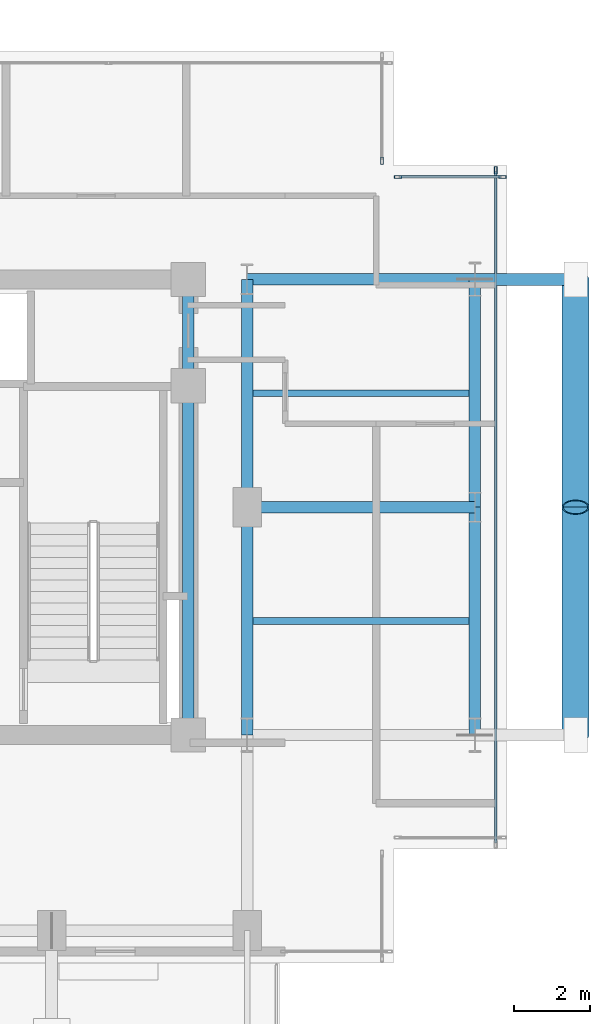
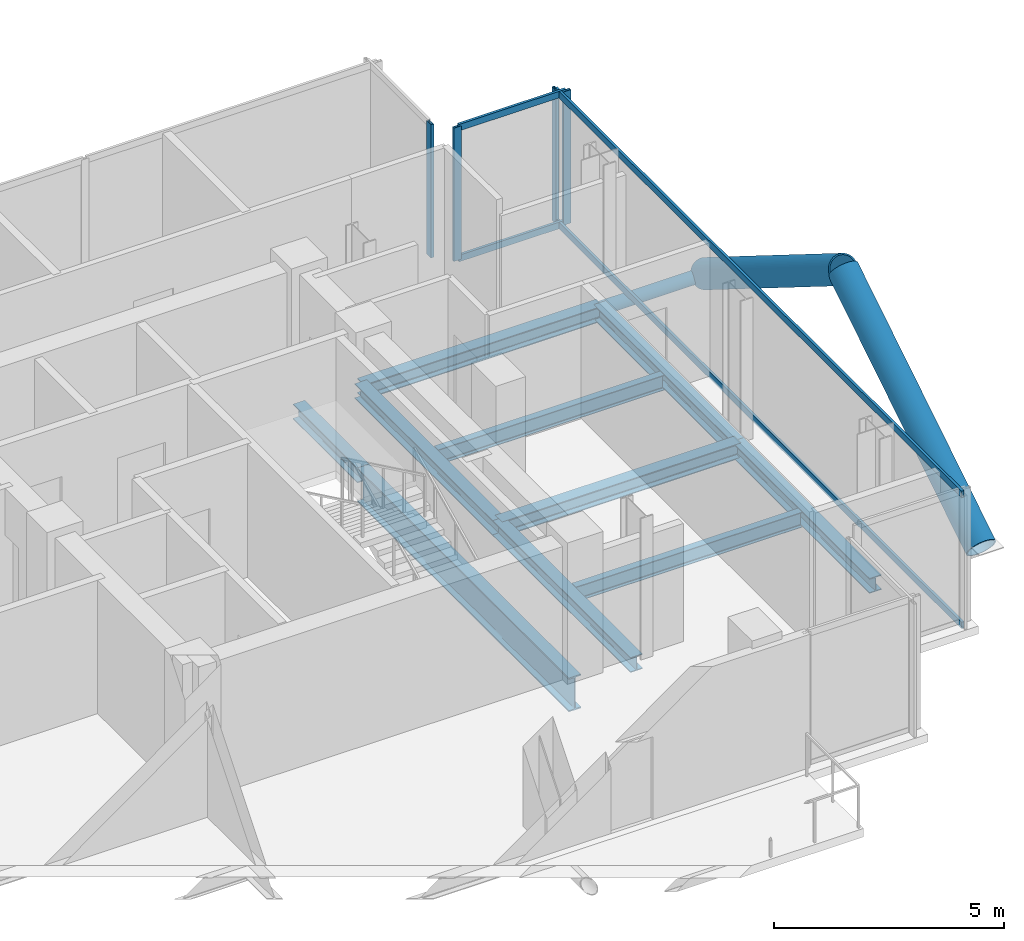
# One storey, part 12 of 25: 11 members, 10 beams, 3 elements without a shape of their own.
"""IFC4 building model written with IfcOpenShell, lengths in metres."""

from ifc_helpers import new_model, si_unit, direction, frame, origin, origin_2d, place, context, subcontext, project, spatial, hollow_rectangle, hollow_circle, i_section, extrude, material, layer, layer_set, material_profile, profile_set, type_object, element, aggregate, save


model = new_model("IFC4")

# Units and contexts
model_context = context("Model", 3, precision=1e-05, world=origin(), true_north=direction((0.0, 1.0)))
body_context = subcontext(model_context, "Body", "Model", "MODEL_VIEW")
ifc_project = project(units=[si_unit("LENGTHUNIT", "METRE"), si_unit("AREAUNIT", "SQUARE_METRE"), si_unit("VOLUMEUNIT", "CUBIC_METRE"), si_unit("PLANEANGLEUNIT", "RADIAN"), si_unit("MASSUNIT", "GRAM", prefix="KILO"), si_unit("THERMODYNAMICTEMPERATUREUNIT", "KELVIN"), si_unit("POWERUNIT", "WATT")], contexts=[model_context])

# Site, building, storey
site_placement = place(None, origin())
site = spatial("IfcSite", under=ifc_project, at=site_placement, CompositionType="ELEMENT")
building_placement = place(site_placement, origin())
building = spatial("IfcBuilding", under=site, at=building_placement, Name="Svarakhadi Broadcast Tower", CompositionType="ELEMENT")
storey_placement = place(building_placement, frame((0.0, 0.0, 227.39990234375)))
storey = spatial("IfcBuildingStorey", under=building, at=storey_placement, Name="L56", CompositionType="ELEMENT", Elevation=227.39990234375)

# Beams
ifc_material_1 = material(Name="Steel S355J2 (IS 2062 E350C)", Category="steel")
ifc_material_profile_1 = material_profile(ifc_material_1, i_section(OverallWidth=0.179931640625, OverallDepth=0.39990234375, WebThickness=0.008544921875, FlangeThickness=0.013427734375, FilletRadius=0.02099609375, at=origin_2d()), Name="NPB 400x180x66")
ifc_profile_set_1 = profile_set([ifc_material_profile_1], Name="Steel S355J2 (IS 2062 E350C)")
beam_type_1 = type_object("IfcBeamType", Name="Beam_NPB400", PredefinedType="BEAM", material=ifc_profile_set_1)
for number, where, z_axis, x_axis, name in (
    (1, (35.31005859375, 9.0, -0.409912109375), (1.0, 0.0, 0.0), (0.0, 1.0, 0.0), "L56 Secondary Composite Beam SB016"),
    (2, (35.31005859375, 15.0, -0.409912109375), (1.0, 0.0, 0.0), (0.0, 1.0, 0.0), "L56 Secondary Composite Beam SB017"),
):
    element("IfcBeam", number, at=place(storey_placement, frame(where, z_axis=z_axis, x_axis=x_axis)), inside=storey, type_object=beam_type_1, Name=name, PredefinedType="BEAM", context=body_context, shape_type="SweptSolid", body=[
        extrude(i_section(OverallWidth=0.179931640625, OverallDepth=0.39990234375, WebThickness=0.008544921875, FlangeThickness=0.013427734375, FilletRadius=0.02099609375, at=origin_2d()), origin(), (0.0, 0.0, 1.0), 5.679931640625),
    ])

# Curtain wall, member
ifc_material_2 = material(Name="Anodised Bronze Aluminium AA 6063-T6", Category="aluminium")
ifc_layer = layer(ifc_material_2, 0.18994140625)
ifc_layer_set = layer_set([ifc_layer], Name="Anodised Bronze Aluminium AA 6063-T6")
curtain_wall_type = type_object("IfcCurtainWallType", Name="CW_Sys_04", PredefinedType="NOTDEFINED", material=ifc_layer_set)
curtain_wall_1_placement = place(storey_placement, origin())
curtain_wall_1 = element("IfcCurtainWall", 3, at=curtain_wall_1_placement, inside=storey, type_object=curtain_wall_type, Name="L56 Unitised Facade Curtain Wall 11", PredefinedType="NOTDEFINED")
ifc_material_profile_2 = material_profile(ifc_material_2, hollow_rectangle(XDim=0.070068359375, YDim=0.18994140625, WallThickness=0.005615234375, at=origin_2d()), Name="ALU MULLION 190x70x6")
ifc_profile_set_2 = profile_set([ifc_material_profile_2], Name="Anodised Bronze Aluminium AA 6063-T6")
member_type_1 = type_object("IfcMemberType", Name="CW_Sys_04_Mul", PredefinedType="MULLION", material=ifc_profile_set_2)
member_1_placement = place(storey_placement, frame((38.699951171875, 21.125, 0.0), z_axis=(0.0, 0.0, 1.0), x_axis=(1.0, 0.0, 0.0)))
member_1 = element("IfcMember", 4, at=member_1_placement, type_object=member_type_1, Name="CW-04 mullion 2", PredefinedType="MULLION", context=body_context, shape_type="SweptSolid", body=[
    extrude(hollow_rectangle(XDim=0.070068359375, YDim=0.18994140625, WallThickness=0.005615234375, at=origin_2d()), origin(), (0.0, 0.0, 1.0), 3.5400390625),
])
aggregate(curtain_wall_1, [member_1])

# Curtain wall, members
curtain_wall_2_placement = place(storey_placement, origin())
curtain_wall_2 = element("IfcCurtainWall", 5, at=curtain_wall_2_placement, inside=storey, type_object=curtain_wall_type, Name="L56 Unitised Facade Curtain Wall 12", PredefinedType="NOTDEFINED")
member_2_placement = place(storey_placement, frame((39.125, 20.699951171875, 0.0), z_axis=(0.0, 0.0, 1.0), x_axis=(0.0, 1.0, 0.0)))
member_2 = element("IfcMember", 6, at=member_2_placement, type_object=member_type_1, Name="CW-04 mullion 1", PredefinedType="MULLION", context=body_context, shape_type="SweptSolid", body=[
    extrude(hollow_rectangle(XDim=0.070068359375, YDim=0.18994140625, WallThickness=0.005615234375, at=origin_2d()), origin(), (0.0, 0.0, 1.0), 3.5400390625),
])
member_3_placement = place(storey_placement, frame((41.875, 20.699951171875, 0.0), z_axis=(0.0, 0.0, 1.0), x_axis=(0.0, 1.0, 0.0)))
member_3 = element("IfcMember", 7, at=member_3_placement, type_object=member_type_1, Name="CW-04 mullion 2", PredefinedType="MULLION", context=body_context, shape_type="SweptSolid", body=[
    extrude(hollow_rectangle(XDim=0.070068359375, YDim=0.18994140625, WallThickness=0.005615234375, at=origin_2d()), origin(), (0.0, 0.0, 1.0), 3.5400390625),
])

# Curtain wall, member
curtain_wall_3_placement = place(storey_placement, origin())
curtain_wall_3 = element("IfcCurtainWall", 8, at=curtain_wall_3_placement, inside=storey, type_object=curtain_wall_type, Name="L56 Unitised Facade Curtain Wall 13", PredefinedType="NOTDEFINED")
member_4_placement = place(storey_placement, frame((41.699951171875, 20.875, 0.0), z_axis=(0.0, 0.0, 1.0), x_axis=(1.0, 0.0, 0.0)))
member_4 = element("IfcMember", 9, at=member_4_placement, type_object=member_type_1, Name="CW-04 mullion 1", PredefinedType="MULLION", context=body_context, shape_type="SweptSolid", body=[
    extrude(hollow_rectangle(XDim=0.070068359375, YDim=0.18994140625, WallThickness=0.005615234375, at=origin_2d()), origin(), (0.0, 0.0, 1.0), 3.5400390625),
])

# Member
ifc_material_profile_3 = material_profile(ifc_material_2, hollow_rectangle(XDim=0.06494140625, YDim=0.175048828125, WallThickness=0.0048828125, at=origin_2d()), Name="ALU TRANSOM 175x65x5")
ifc_profile_set_3 = profile_set([ifc_material_profile_3], Name="Anodised Bronze Aluminium AA 6063-T6")
member_type_2 = type_object("IfcMemberType", Name="CW_Sys_04_Trn", PredefinedType="USERDEFINED", material=ifc_profile_set_3)
member_5_placement = place(storey_placement, frame((39.159912109375, 20.699951171875, 0.03271484375), z_axis=(1.0, 0.0, 0.0), x_axis=(0.0, 1.0, 0.0)))
member_5 = element("IfcMember", 10, at=member_5_placement, type_object=member_type_2, Name="CW-04 transom 1.1", ObjectType="TRANSOM", PredefinedType="USERDEFINED", context=body_context, shape_type="SweptSolid", body=[
    extrude(hollow_rectangle(XDim=0.06494140625, YDim=0.175048828125, WallThickness=0.0048828125, at=origin_2d()), origin(), (0.0, 0.0, 1.0), 2.68017578125),
])

member_6_placement = place(storey_placement, frame((39.159912109375, 20.699951171875, 3.507568359375), z_axis=(1.0, 0.0, 0.0), x_axis=(0.0, 1.0, 0.0)))
member_6 = element("IfcMember", 11, at=member_6_placement, type_object=member_type_2, Name="CW-04 transom 1.2", ObjectType="TRANSOM", PredefinedType="USERDEFINED", context=body_context, shape_type="SweptSolid", body=[
    extrude(hollow_rectangle(XDim=0.06494140625, YDim=0.175048828125, WallThickness=0.0048828125, at=origin_2d()), origin(), (0.0, 0.0, 1.0), 2.68017578125),
])

aggregate(curtain_wall_2, [member_2, member_3, member_5, member_6])

member_7_placement = place(storey_placement, frame((41.699951171875, 20.840087890625, 0.03271484375), z_axis=(0.0, -1.0, 0.0), x_axis=(1.0, 0.0, 0.0)))
member_7 = element("IfcMember", 12, at=member_7_placement, type_object=member_type_2, Name="CW-04 transom 1.1", ObjectType="TRANSOM", PredefinedType="USERDEFINED", context=body_context, shape_type="SweptSolid", body=[
    extrude(hollow_rectangle(XDim=0.06494140625, YDim=0.175048828125, WallThickness=0.0048828125, at=origin_2d()), origin(), (0.0, 0.0, 1.0), 17.68017578125),
])

member_8_placement = place(storey_placement, frame((41.699951171875, 20.840087890625, 3.507568359375), z_axis=(0.0, -1.0, 0.0), x_axis=(1.0, 0.0, 0.0)))
member_8 = element("IfcMember", 13, at=member_8_placement, type_object=member_type_2, Name="CW-04 transom 1.2", ObjectType="TRANSOM", PredefinedType="USERDEFINED", context=body_context, shape_type="SweptSolid", body=[
    extrude(hollow_rectangle(XDim=0.06494140625, YDim=0.175048828125, WallThickness=0.0048828125, at=origin_2d()), origin(), (0.0, 0.0, 1.0), 17.68017578125),
])

aggregate(curtain_wall_3, [member_4, member_7, member_8])

# Members
ifc_material_3 = material(Name="Steel S460ML (IS 2062 E450BR)", Category="steel")
ifc_material_profile_4 = material_profile(ifc_material_3, hollow_circle(Radius=0.35546875, WallThickness=0.034912109375, at=origin_2d()), Name="CHS 711x35")
ifc_profile_set_4 = profile_set([ifc_material_profile_4], Name="Steel S460ML (IS 2062 E450BR)")
member_type_3 = type_object("IfcMemberType", Name="Exo_Brace_CHS711", PredefinedType="BRACE", material=ifc_profile_set_4)
for number, where, z_axis, x_axis, name in (
    (14, (43.800048828125, 6.0, -0.371826171875), (0.0, 0.847998304005, 0.529998940003), (-1.0, 0.0, 0.0), "L56 Exposed Bronze Exoskeleton Diagonal E06"),
    (15, (43.800048828125, 18.0, -0.371826171875), (0.0, -0.847998304005, 0.529998940003), (1.0, 0.0, 0.0), "L56 Exposed Bronze Exoskeleton Diagonal E07"),
):
    element("IfcMember", number, at=place(storey_placement, frame(where, z_axis=z_axis, x_axis=x_axis)), inside=storey, type_object=member_type_3, Name=name, PredefinedType="BRACE", context=body_context, shape_type="SweptSolid", body=[
        extrude(hollow_circle(Radius=0.35546875, WallThickness=0.034912109375, at=origin_2d()), origin(), (0.0, 0.0, 1.0), 7.075439453125),
    ])
ifc_material_profile_5 = material_profile(ifc_material_3, hollow_circle(Radius=0.161865234375, WallThickness=0.01611328125, at=origin_2d()), Name="CHS 323.9x16")
ifc_profile_set_5 = profile_set([ifc_material_profile_5], Name="Steel S460ML (IS 2062 E450BR)")
member_type_4 = type_object("IfcMemberType", Name="Exo_Radial_Strut_Z2", PredefinedType="STRUT", material=ifc_profile_set_5)
member_9_placement = place(storey_placement, frame((43.800048828125, 18.0, -0.371826171875), z_axis=(-1.0, 0.0, 0.0), x_axis=(0.0, -1.0, 0.0)))
element("IfcMember", 16, at=member_9_placement, inside=storey, type_object=member_type_4, Name="L56 Exoskeleton Radial Tie Strut E08", PredefinedType="STRUT", context=body_context, shape_type="SweptSolid", body=[
    extrude(hollow_circle(Radius=0.161865234375, WallThickness=0.01611328125, at=origin_2d()), origin(), (0.0, 0.0, 1.0), 2.650146484375),
])

# Beams
ifc_material_profile_6 = material_profile(ifc_material_1, i_section(OverallWidth=0.300048828125, OverallDepth=0.39990234375, WebThickness=0.013427734375, FlangeThickness=0.02392578125, FilletRadius=0.027099609375, at=origin_2d()), Name="WPB 400x300x155")
ifc_profile_set_6 = profile_set([ifc_material_profile_6], Name="Steel S355J2 (IS 2062 E350C)")
beam_type_2 = type_object("IfcBeamType", Name="Girder_WPB400", PredefinedType="USERDEFINED", material=ifc_profile_set_6)
for number, where, z_axis, x_axis, name in (
    (17, (35.14990234375, 12.0, -0.409912109375), (1.0, 0.0, 0.0), (0.0, 1.0, 0.0), "L56 Primary E-W Girder G019"),
    (18, (35.14990234375, 18.0, -0.409912109375), (1.0, 0.0, 0.0), (0.0, 1.0, 0.0), "L56 Primary E-W Girder G025"),
):
    element("IfcBeam", number, at=place(storey_placement, frame(where, z_axis=z_axis, x_axis=x_axis)), inside=storey, type_object=beam_type_2, Name=name, ObjectType="GIRDER", PredefinedType="USERDEFINED", context=body_context, shape_type="SweptSolid", body=[
        extrude(i_section(OverallWidth=0.300048828125, OverallDepth=0.39990234375, WebThickness=0.013427734375, FlangeThickness=0.02392578125, FilletRadius=0.027099609375, at=origin_2d()), origin(), (0.0, 0.0, 1.0), 6.0),
    ])
beam_1_placement = place(storey_placement, frame((33.60009765625, 15.199951171875, -0.409912109375), z_axis=(0.0, 1.0, 0.0), x_axis=(-1.0, 0.0, 0.0)))
element("IfcBeam", 19, at=beam_1_placement, inside=storey, type_object=beam_type_2, Name="L56 Primary N-S Girder G055", ObjectType="GIRDER", PredefinedType="USERDEFINED", context=body_context, shape_type="SweptSolid", body=[
    extrude(i_section(OverallWidth=0.300048828125, OverallDepth=0.39990234375, WebThickness=0.013427734375, FlangeThickness=0.02392578125, FilletRadius=0.027099609375, at=origin_2d()), origin(), (0.0, 0.0, 1.0), 2.800048828125),
])
for number, where, z_axis, x_axis, name in (
    (20, (35.14990234375, 6.0, -0.409912109375), (0.0, 1.0, 0.0), (-1.0, 0.0, 0.0), "L56 Primary N-S Girder G057"),
    (21, (35.14990234375, 12.0, -0.409912109375), (0.0, 1.0, 0.0), (-1.0, 0.0, 0.0), "L56 Primary N-S Girder G058"),
    (22, (41.14990234375, 6.0, -0.409912109375), (0.0, 1.0, 0.0), (-1.0, 0.0, 0.0), "L56 Primary N-S Girder G059"),
    (23, (41.14990234375, 12.0, -0.409912109375), (0.0, 1.0, 0.0), (-1.0, 0.0, 0.0), "L56 Primary N-S Girder G060"),
):
    element("IfcBeam", number, at=place(storey_placement, frame(where, z_axis=z_axis, x_axis=x_axis)), inside=storey, type_object=beam_type_2, Name=name, ObjectType="GIRDER", PredefinedType="USERDEFINED", context=body_context, shape_type="SweptSolid", body=[
        extrude(i_section(OverallWidth=0.300048828125, OverallDepth=0.39990234375, WebThickness=0.013427734375, FlangeThickness=0.02392578125, FilletRadius=0.027099609375, at=origin_2d()), origin(), (0.0, 0.0, 1.0), 6.0),
    ])
ifc_material_profile_7 = material_profile(ifc_material_3, i_section(OverallWidth=0.300048828125, OverallDepth=0.89990234375, WebThickness=0.0185546875, FlangeThickness=0.034912109375, FilletRadius=0.030029296875, at=origin_2d()), Name="WPB 900x300x291")
ifc_profile_set_7 = profile_set([ifc_material_profile_7], Name="Steel S460ML (IS 2062 E450BR)")
beam_type_3 = type_object("IfcBeamType", Name="Girder_WPB900", PredefinedType="USERDEFINED", material=ifc_profile_set_7)
beam_2_placement = place(storey_placement, frame((33.60009765625, 6.0, -0.659912109375), z_axis=(0.0, 1.0, 0.0), x_axis=(-1.0, 0.0, 0.0)))
element("IfcBeam", 24, at=beam_2_placement, inside=storey, type_object=beam_type_3, Name="L56 Primary N-S Girder G054", ObjectType="GIRDER", PredefinedType="USERDEFINED", context=body_context, shape_type="SweptSolid", body=[
    extrude(i_section(OverallWidth=0.300048828125, OverallDepth=0.89990234375, WebThickness=0.0185546875, FlangeThickness=0.034912109375, FilletRadius=0.030029296875, at=origin_2d()), origin(), (0.0, 0.0, 1.0), 9.199951171875),
])

save(model, "model.ifc")
